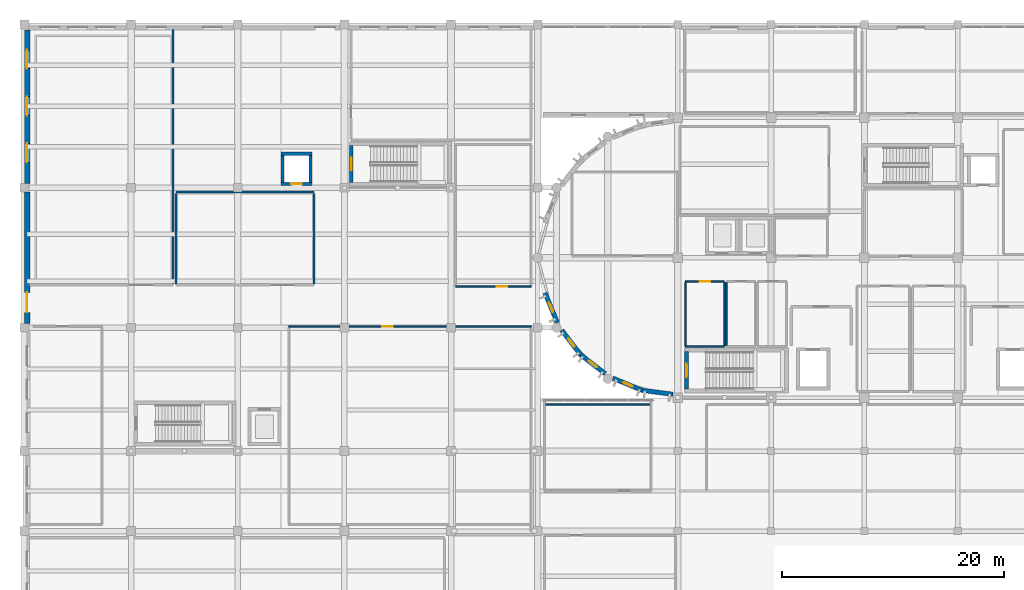
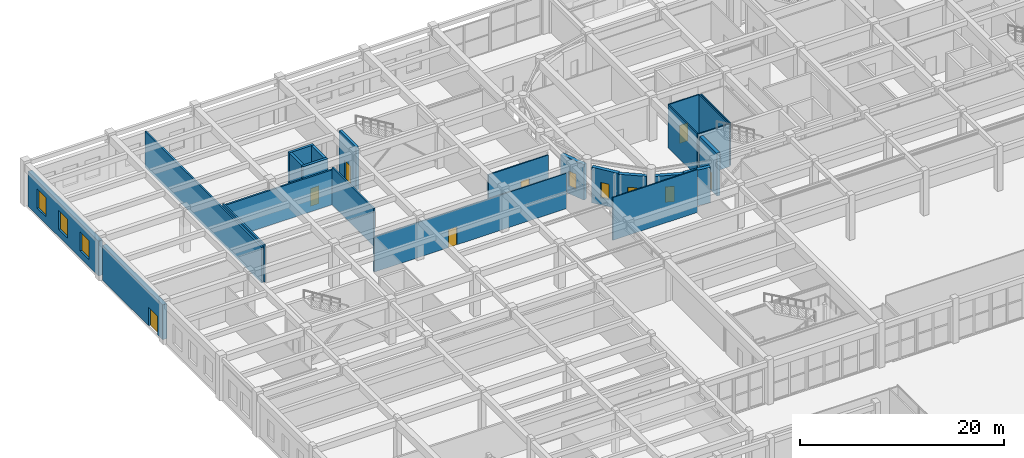
# One storey, part 70 of 98: 25 walls, 7 doors, 7 windows, 14 openings.
"""IFC4 building model written with IfcOpenShell, lengths in metres."""

from ifc_helpers import new_model, si_unit, direction, frame, frame_2d, origin, place, context, subcontext, project, spatial, rectangle, extrude, material, layer, layer_set, type_object, element, fill, save


model = new_model("IFC4")

# Units and contexts
model_context = context("Model", 3, precision=1e-05, world=origin(), true_north=direction((0.0, 1.0)))
body_context = subcontext(model_context, "Body", "Model", "MODEL_VIEW")
ifc_project = project(units=[si_unit("LENGTHUNIT", "METRE"), si_unit("AREAUNIT", "SQUARE_METRE"), si_unit("VOLUMEUNIT", "CUBIC_METRE"), si_unit("PLANEANGLEUNIT", "RADIAN"), si_unit("MASSUNIT", "GRAM", prefix="KILO")], contexts=[model_context])

# Site, building, storey
site_placement = place(None, origin())
site = spatial("IfcSite", under=ifc_project, at=site_placement, CompositionType="ELEMENT")
building_placement = place(site_placement, origin())
building = spatial("IfcBuilding", under=site, at=building_placement, Name="Tarnavel Promenade Courthouse", CompositionType="ELEMENT")
storey_placement = place(building_placement, origin())
storey = spatial("IfcBuildingStorey", under=building, at=storey_placement, Name="L01", CompositionType="ELEMENT", Elevation=0.0)

# Wall
ifc_material_1 = material(Name="Concrete C40/50", Category="concrete")
ifc_layer_1 = layer(ifc_material_1, 0.280029296875)
ifc_layer_set_1 = layer_set([ifc_layer_1], Name="Concrete C40/50")
wall_type_1 = type_object("IfcWallType", Name="Concrete C40/50 WL-SHR-280 (280 mm)", PredefinedType="SHEAR", material=ifc_layer_set_1)
wall_1_placement = place(storey_placement, frame((23.10009765625, 101.159912109375, 0.0), z_axis=(0.0, 0.0, 1.0), x_axis=(1.0, 0.0, 0.0)))
element("IfcWall", 1, at=wall_1_placement, inside=storey, type_object=wall_type_1, Name="L01 L-JUD2 Lift Shaft North Wall", PredefinedType="SHEAR", context=body_context, shape_type="SweptSolid", body=[
    extrude(rectangle(XDim=2.7998046875, YDim=0.280029296875, at=frame_2d((1.39990234375, 0.0))), origin(), (0.0, 0.0, 1.0), 5.139892578125),
])

# Wall, opening, door
wall_2_placement = place(storey_placement, frame((25.89990234375, 98.43994140625, 0.0), z_axis=(0.0, 0.0, 1.0), x_axis=(-1.0, 0.0, 0.0)))
wall_2 = element("IfcWall", 2, at=wall_2_placement, inside=storey, type_object=wall_type_1, Name="L01 L-JUD2 Lift Shaft South Wall", PredefinedType="SHEAR", context=body_context, shape_type="SweptSolid", body=[
    extrude(rectangle(XDim=2.7998046875, YDim=0.280029296875, at=frame_2d((1.39990234375, 0.0))), origin(), (0.0, 0.0, 1.0), 5.139892578125),
])
opening_1_placement = place(wall_2_placement, frame((0.925048828125, 0.0, 0.0)))
opening_1 = element("IfcOpeningElement", 3, at=opening_1_placement, cuts=wall_2, Name="Opening LD-03", PredefinedType="OPENING", context=body_context, shape_type="SweptSolid", body=[
    extrude(rectangle(XDim=0.949951171875, YDim=2.14990234375, at=frame_2d((0.47509765625, 1.074951171875))), frame((0.0, 0.14990234375, 0.0), z_axis=(0.0, -1.0, 0.0), x_axis=(1.0, 0.0, 0.0)), (0.0, 0.0, 1.0), 0.300048828125),
])
ifc_material_2 = material(Name="Stainless Steel Judicial Lift Landing Sliding Door", Category="steel")
door_type_1 = type_object("IfcDoorType", Name="Stainless Steel Judicial Lift Landing Sliding Door (LD-JUD-0950x2150)", OperationType="NOTDEFINED", PredefinedType="DOOR", material=ifc_material_2)
door_1_placement = place(opening_1_placement, origin())
door_1 = element("IfcDoor", 4, at=door_1_placement, inside=storey, type_object=door_type_1, Name="L01 L-JUD2 Lift Sliding Landing Door", OperationType="DOUBLE_DOOR_SLIDING", OverallHeight=2.14990234375, OverallWidth=0.949951171875, PredefinedType="DOOR", context=body_context, shape_type="SweptSolid", body=[
    extrude(rectangle(XDim=0.949951171875, YDim=2.14990234375, at=frame_2d((0.47509765625, 1.074951171875))), frame((0.0, 0.02490234375, 0.0), z_axis=(0.0, -1.0, 0.0), x_axis=(1.0, 0.0, 0.0)), (0.0, 0.0, 1.0), 0.050048828125),
])
fill(opening_1, door_1)

# Walls
for number, where, z_axis, x_axis, name in (
    (5, (23.239990234375, 98.580078125, 0.0), (0.0, 0.0, 1.0), (0.0, 1.0, 0.0), "L01 L-JUD2 Lift Shaft West Wall"),
    (6, (25.760009765625, 101.02001953125, 0.0), (0.0, 0.0, 1.0), (0.0, -1.0, 0.0), "L01 L-JUD2 Lift Shaft East Wall"),
):
    element("IfcWall", number, at=place(storey_placement, frame(where, z_axis=z_axis, x_axis=x_axis)), inside=storey, type_object=wall_type_1, Name=name, PredefinedType="SHEAR", context=body_context, shape_type="SweptSolid", body=[
        extrude(rectangle(XDim=2.43994140625, YDim=0.280029296875, at=frame_2d((1.219970703125, 0.0))), origin(), (0.0, 0.0, 1.0), 5.139892578125),
    ])

# Wall, opening, door
ifc_layer_2 = layer(ifc_material_1, 0.320068359375)
ifc_layer_set_2 = layer_set([ifc_layer_2], Name="Concrete C40/50")
wall_type_2 = type_object("IfcWallType", Name="Concrete C40/50 WL-SHR-320 (320 mm)", PredefinedType="SHEAR", material=ifc_layer_set_2)
wall_3_placement = place(storey_placement, frame((29.419921875, 98.580078125, 0.0), z_axis=(0.0, 0.0, 1.0), x_axis=(0.0, 1.0, 0.0)))
wall_3 = element("IfcWall", 7, at=wall_3_placement, inside=storey, type_object=wall_type_2, Name="L01 ST-07 Shear Core West Landing Wall", PredefinedType="SHEAR", context=body_context, shape_type="SweptSolid", body=[
    extrude(rectangle(XDim=3.31982421875, YDim=0.320068359375, at=frame_2d((1.659912109375, 0.0))), origin(), (0.0, 0.0, 1.0), 5.139892578125),
])
opening_2_placement = place(wall_3_placement, frame((1.0849609375, 0.0, 0.0)))
opening_2 = element("IfcOpeningElement", 8, at=opening_2_placement, cuts=wall_3, Name="Opening FD-01", PredefinedType="OPENING", context=body_context, shape_type="SweptSolid", body=[
    extrude(rectangle(XDim=1.14990234375, YDim=2.199951171875, at=frame_2d((0.574951171875, 1.10009765625))), frame((0.0, 0.169921875, 0.0), z_axis=(0.0, -1.0, 0.0), x_axis=(1.0, 0.0, 0.0)), (0.0, 0.0, 1.0), 0.340087890625),
])
ifc_material_3 = material(Name="Steel Fire-Rated Stair Core Door", Category="steel")
door_type_2 = type_object("IfcDoorType", Name="Steel Fire-Rated Stair Core Door (DR-ST-1150x2200)", OperationType="NOTDEFINED", PredefinedType="DOOR", material=ifc_material_3)
door_2_placement = place(opening_2_placement, origin())
door_2 = element("IfcDoor", 9, at=door_2_placement, inside=storey, type_object=door_type_2, Name="L01 ST-07 Protected Exit Stair Door", OperationType="SINGLE_SWING_RIGHT", OverallHeight=2.199951171875, OverallWidth=1.14990234375, PredefinedType="DOOR", context=body_context, shape_type="SweptSolid", body=[
    extrude(rectangle(XDim=1.14990234375, YDim=2.199951171875, at=frame_2d((0.574951171875, 1.10009765625))), frame((0.0, 0.02490234375, 0.0), z_axis=(0.0, -1.0, 0.0), x_axis=(1.0, 0.0, 0.0)), (0.0, 0.0, 1.0), 0.050048828125),
])
fill(opening_2, door_2)

ifc_layer_3 = layer(ifc_material_1, 0.360107421875)
ifc_layer_set_3 = layer_set([ifc_layer_3], Name="Concrete C40/50")
wall_type_3 = type_object("IfcWallType", Name="Concrete C40/50 WL-SHR-360 (360 mm)", PredefinedType="SHEAR", material=ifc_layer_set_3)
wall_4_placement = place(storey_placement, frame((59.60009765625, 79.97998046875, 0.0), z_axis=(0.0, 0.0, 1.0), x_axis=(0.0, 1.0, 0.0)))
wall_4 = element("IfcWall", 10, at=wall_4_placement, inside=storey, type_object=wall_type_3, Name="L01 ST-01 Shear Core West Landing Wall", PredefinedType="SHEAR", context=body_context, shape_type="SweptSolid", body=[
    extrude(rectangle(XDim=3.360107421875, YDim=0.360107421875, at=frame_2d((1.68017578125, 0.0))), origin(), (0.0, 0.0, 1.0), 5.139892578125),
])
opening_3_placement = place(wall_4_placement, frame((1.080078125, 0.0, 0.0)))
opening_3 = element("IfcOpeningElement", 11, at=opening_3_placement, cuts=wall_4, Name="Opening FD-02", PredefinedType="OPENING", context=body_context, shape_type="SweptSolid", body=[
    extrude(rectangle(XDim=1.199951171875, YDim=2.199951171875, at=frame_2d((0.60009765625, 1.10009765625))), frame((0.0, 0.18994140625, 0.0), z_axis=(0.0, -1.0, 0.0), x_axis=(1.0, 0.0, 0.0)), (0.0, 0.0, 1.0), 0.380126953125),
])
ifc_material_4 = material(Name="Steel Fire-Rated Firefighting Stair Door", Category="steel")
door_type_3 = type_object("IfcDoorType", Name="Steel Fire-Rated Firefighting Stair Door (DR-ST-1200x2200)", OperationType="NOTDEFINED", PredefinedType="DOOR", material=ifc_material_4)
door_3_placement = place(opening_3_placement, origin())
door_3 = element("IfcDoor", 12, at=door_3_placement, inside=storey, type_object=door_type_3, Name="L01 ST-01 Protected Exit Stair Door", OperationType="SINGLE_SWING_LEFT", OverallHeight=2.199951171875, OverallWidth=1.199951171875, PredefinedType="DOOR", context=body_context, shape_type="SweptSolid", body=[
    extrude(rectangle(XDim=1.199951171875, YDim=2.199951171875, at=frame_2d((0.60009765625, 1.10009765625))), frame((0.0, 0.02490234375, 0.0), z_axis=(0.0, -1.0, 0.0), x_axis=(1.0, 0.0, 0.0)), (0.0, 0.0, 1.0), 0.050048828125),
])
fill(opening_3, door_3)

# Walls
ifc_material_5 = material(Name="Double-Stud Acoustic Courtroom Partition Assembly", Category="gypsum")
ifc_layer_4 = layer(ifc_material_5, 0.18505859375)
ifc_layer_set_4 = layer_set([ifc_layer_4], Name="Double-Stud Acoustic Courtroom Partition Assembly")
wall_type_4 = type_object("IfcWallType", Name="Double-Stud Acoustic Courtroom Partition Assembly WL-CRT-185 (185 mm)", PredefinedType="PARTITIONING", material=ifc_layer_set_4)
wall_5_placement = place(storey_placement, frame((13.360107421875, 112.325927734375, 0.0), z_axis=(0.0, 0.0, 1.0), x_axis=(0.0, -1.0, 0.0)))
element("IfcWall", 13, at=wall_5_placement, inside=storey, type_object=wall_type_4, Name="L01 District Civil Courtroom Partition 0114", PredefinedType="PARTITIONING", context=body_context, shape_type="SweptSolid", body=[
    extrude(rectangle(XDim=22.883544921875, YDim=0.18505859375, at=frame_2d((11.44189453125, 0.0))), origin(), (0.0, 0.0, 1.0), 4.330078125),
])
wall_6_placement = place(storey_placement, frame((13.639892578125, 97.699951171875, 0.0), z_axis=(0.0, 0.0, 1.0), x_axis=(1.0, 0.0, 0.0)))
element("IfcWall", 14, at=wall_6_placement, inside=storey, type_object=wall_type_4, Name="L01 Magistrates' Summary Courtroom Partition 0115", PredefinedType="PARTITIONING", context=body_context, shape_type="SweptSolid", body=[
    extrude(rectangle(XDim=12.420166015625, YDim=0.18505859375, at=frame_2d((6.2099609375, 0.0))), origin(), (0.0, 0.0, 1.0), 4.179931640625),
])
for number, where, z_axis, x_axis, name in (
    (15, (13.639892578125, 89.4423828125, 0.0), (0.0, 0.0, 1.0), (0.0, 1.0, 0.0), "L01 Magistrates' Summary Courtroom Partition 0117"),
    (16, (26.06005859375, 97.597412109375, 0.0), (0.0, 0.0, 1.0), (0.0, -1.0, 0.0), "L01 Magistrates' Summary Courtroom Partition 0118"),
):
    element("IfcWall", number, at=place(storey_placement, frame(where, z_axis=z_axis, x_axis=x_axis)), inside=storey, type_object=wall_type_4, Name=name, PredefinedType="PARTITIONING", context=body_context, shape_type="SweptSolid", body=[
        extrude(rectangle(XDim=8.155029296875, YDim=0.18505859375, at=frame_2d((4.07763671875, 0.0))), origin(), (0.0, 0.0, 1.0), 4.47998046875),
    ])

# Wall, opening, door
ifc_material_6 = material(Name="Limestone Ashlar Faced Insulated Brick Masonry", Category="masonry")
ifc_layer_5 = layer(ifc_material_6, 0.47998046875)
ifc_layer_set_5 = layer_set([ifc_layer_5], Name="Limestone Ashlar Faced Insulated Brick Masonry")
wall_type_5 = type_object("IfcWallType", Name="Limestone Ashlar Faced Insulated Brick Masonry WL-EXT-480 (480 mm)", PredefinedType="STANDARD", material=ifc_layer_set_5)
wall_7_placement = place(storey_placement, frame((0.239990234375, 85.89208984375, 0.0), z_axis=(0.0, 0.0, 1.0), x_axis=(0.0, 1.0, 0.0)))
wall_7 = element("IfcWall", 17, at=wall_7_placement, inside=storey, type_object=wall_type_5, Name="L01 Trial Wing West Ashlar Facade 0279", PredefinedType="STANDARD", context=body_context, shape_type="SweptSolid", body=[
    extrude(rectangle(XDim=11.81591796875, YDim=0.47998046875, at=frame_2d((5.907958984375, 0.0))), origin(), (0.0, 0.0, 1.0), 4.179931640625),
])
opening_4_placement = place(wall_7_placement, frame((0.988037109375, 0.0, 0.0)))
opening_4 = element("IfcOpeningElement", 18, at=opening_4_placement, cuts=wall_7, Name="Opening ED-03", PredefinedType="OPENING", context=body_context, shape_type="SweptSolid", body=[
    extrude(rectangle(XDim=1.800048828125, YDim=2.25, at=frame_2d((0.89990234375, 1.125))), frame((0.0, 0.25, 0.0), z_axis=(0.0, -1.0, 0.0), x_axis=(1.0, 0.0, 0.0)), (0.0, 0.0, 1.0), 0.5),
])
ifc_material_7 = material(Name="Insulated Steel Emergency Exit Double Door", Category="steel")
door_type_4 = type_object("IfcDoorType", Name="Insulated Steel Emergency Exit Double Door (ED-EXIT-1800x2250)", OperationType="NOTDEFINED", PredefinedType="DOOR", material=ifc_material_7)
door_4_placement = place(opening_4_placement, origin())
door_4 = element("IfcDoor", 19, at=door_4_placement, inside=storey, type_object=door_type_4, Name="Trial Wing West Corridor Exit Discharge Door", OperationType="DOUBLE_DOOR_SINGLE_SWING", OverallHeight=2.25, OverallWidth=1.800048828125, PredefinedType="DOOR", context=body_context, shape_type="SweptSolid", body=[
    extrude(rectangle(XDim=1.800048828125, YDim=2.25, at=frame_2d((0.89990234375, 1.125))), frame((0.0, 0.02490234375, 0.0), z_axis=(0.0, -1.0, 0.0), x_axis=(1.0, 0.0, 0.0)), (0.0, 0.0, 1.0), 0.050048828125),
])
fill(opening_4, door_4)

# Wall, openings, windows
wall_8_placement = place(storey_placement, frame((0.239990234375, 98.491943359375, 0.0), z_axis=(0.0, 0.0, 1.0), x_axis=(0.0, 1.0, 0.0)))
wall_8 = element("IfcWall", 20, at=wall_8_placement, inside=storey, type_object=wall_type_5, Name="L01 Trial Wing West Ashlar Facade 0280", PredefinedType="STANDARD", context=body_context, shape_type="SweptSolid", body=[
    extrude(rectangle(XDim=13.828125, YDim=0.47998046875, at=frame_2d((6.9140625, 0.0))), origin(), (0.0, 0.0, 1.0), 4.179931640625),
])
opening_5_placement = place(wall_8_placement, frame((1.894775390625, 0.0, 0.85009765625)))
opening_5 = element("IfcOpeningElement", 21, at=opening_5_placement, cuts=wall_8, Name="Opening W-01", PredefinedType="OPENING", context=body_context, shape_type="SweptSolid", body=[
    extrude(rectangle(XDim=1.699951171875, YDim=2.300048828125, at=frame_2d((0.85009765625, 1.14990234375))), frame((0.0, 0.25, 0.0), z_axis=(0.0, -1.0, 0.0), x_axis=(1.0, 0.0, 0.0)), (0.0, 0.0, 1.0), 0.5),
])
opening_6_placement = place(wall_8_placement, frame((6.10791015625, 0.0, 0.85009765625)))
opening_6 = element("IfcOpeningElement", 22, at=opening_6_placement, cuts=wall_8, Name="Opening W-01", PredefinedType="OPENING", context=body_context, shape_type="SweptSolid", body=[
    extrude(rectangle(XDim=1.699951171875, YDim=2.300048828125, at=frame_2d((0.85009765625, 1.14990234375))), frame((0.0, 0.25, 0.0), z_axis=(0.0, -1.0, 0.0), x_axis=(1.0, 0.0, 0.0)), (0.0, 0.0, 1.0), 0.5),
])
opening_7_placement = place(wall_8_placement, frame((10.3212890625, 0.0, 0.85009765625)))
opening_7 = element("IfcOpeningElement", 23, at=opening_7_placement, cuts=wall_8, Name="Opening W-01", PredefinedType="OPENING", context=body_context, shape_type="SweptSolid", body=[
    extrude(rectangle(XDim=1.699951171875, YDim=2.300048828125, at=frame_2d((0.85009765625, 1.14990234375))), frame((0.0, 0.25, 0.0), z_axis=(0.0, -1.0, 0.0), x_axis=(1.0, 0.0, 0.0)), (0.0, 0.0, 1.0), 0.5),
])
ifc_material_8 = material(Name="Triple Low-E Glazed Bronze-Clad Window Assembly")
window_type_1 = type_object("IfcWindowType", Name="Triple-Glazed Bronze-Clad Timber-Aluminium WIN-CRT-1700x2300", PartitioningType="SINGLE_PANEL", PredefinedType="WINDOW", material=ifc_material_8)
window_1_placement = place(opening_5_placement, origin())
window_1 = element("IfcWindow", 24, at=window_1_placement, inside=storey, type_object=window_type_1, Name="L01 Exterior Window 0248", OverallHeight=2.300048828125, OverallWidth=1.699951171875, PartitioningType="SINGLE_PANEL", PredefinedType="WINDOW", context=body_context, shape_type="SweptSolid", body=[
    extrude(rectangle(XDim=1.699951171875, YDim=2.300048828125, at=frame_2d((0.85009765625, 1.14990234375))), frame((0.0, 0.030029296875, 0.0), z_axis=(0.0, -1.0, 0.0), x_axis=(1.0, 0.0, 0.0)), (0.0, 0.0, 1.0), 0.06005859375),
])
fill(opening_5, window_1)
window_2_placement = place(opening_6_placement, origin())
window_2 = element("IfcWindow", 25, at=window_2_placement, inside=storey, type_object=window_type_1, Name="L01 Exterior Window 0249", OverallHeight=2.300048828125, OverallWidth=1.699951171875, PartitioningType="SINGLE_PANEL", PredefinedType="WINDOW", context=body_context, shape_type="SweptSolid", body=[
    extrude(rectangle(XDim=1.699951171875, YDim=2.300048828125, at=frame_2d((0.85009765625, 1.14990234375))), frame((0.0, 0.030029296875, 0.0), z_axis=(0.0, -1.0, 0.0), x_axis=(1.0, 0.0, 0.0)), (0.0, 0.0, 1.0), 0.06005859375),
])
fill(opening_6, window_2)
window_3_placement = place(opening_7_placement, origin())
window_3 = element("IfcWindow", 26, at=window_3_placement, inside=storey, type_object=window_type_1, Name="L01 Exterior Window 0250", OverallHeight=2.300048828125, OverallWidth=1.699951171875, PartitioningType="SINGLE_PANEL", PredefinedType="WINDOW", context=body_context, shape_type="SweptSolid", body=[
    extrude(rectangle(XDim=1.699951171875, YDim=2.300048828125, at=frame_2d((0.85009765625, 1.14990234375))), frame((0.0, 0.030029296875, 0.0), z_axis=(0.0, -1.0, 0.0), x_axis=(1.0, 0.0, 0.0)), (0.0, 0.0, 1.0), 0.06005859375),
])
fill(opening_7, window_3)

# Wall, opening, door
ifc_material_9 = material(Name="Metal-Stud Acoustic Gypsum Partition", Category="gypsum")
ifc_layer_6 = layer(ifc_material_9, 0.135009765625)
ifc_layer_set_6 = layer_set([ifc_layer_6], Name="Metal-Stud Acoustic Gypsum Partition")
wall_type_6 = type_object("IfcWallType", Name="Metal-Stud Acoustic Gypsum Partition WL-OFF-135 (135 mm)", PredefinedType="PARTITIONING", material=ifc_layer_set_6)
wall_9_placement = place(storey_placement, frame((59.5, 89.64990234375, 0.0), z_axis=(0.0, 0.0, 1.0), x_axis=(1.0, 0.0, 0.0)))
wall_9 = element("IfcWall", 27, at=wall_9_placement, inside=storey, type_object=wall_type_6, Name="L01 L01 Bailiffs' Duty Room Partition 0105", PredefinedType="PARTITIONING", context=body_context, shape_type="SweptSolid", body=[
    extrude(rectangle(XDim=3.5, YDim=0.135009765625, at=frame_2d((1.75, 0.0))), origin(), (0.0, 0.0, 1.0), 5.125),
])
opening_8_placement = place(wall_9_placement, frame((1.27490234375, 0.0, 0.0)))
opening_8 = element("IfcOpeningElement", 28, at=opening_8_placement, cuts=wall_9, Name="Opening ID-06", PredefinedType="OPENING", context=body_context, shape_type="SweptSolid", body=[
    extrude(rectangle(XDim=0.949951171875, YDim=2.14990234375, at=frame_2d((0.47509765625, 1.074951171875))), frame((0.0, 0.077392578125, 0.0), z_axis=(0.0, -1.0, 0.0), x_axis=(1.0, 0.0, 0.0)), (0.0, 0.0, 1.0), 0.155029296875),
])
ifc_material_10 = material(Name="Acoustic Timber Veneer Office Door", Category="wood")
door_type_5 = type_object("IfcDoorType", Name="Acoustic Timber Veneer Office Door (DR-OFF-0950x2150)", OperationType="NOTDEFINED", PredefinedType="DOOR", material=ifc_material_10)
door_5_placement = place(opening_8_placement, origin())
door_5 = element("IfcDoor", 29, at=door_5_placement, inside=storey, type_object=door_type_5, Name="L01 L01 Bailiffs' Duty Room Door 0030", OperationType="SINGLE_SWING_RIGHT", OverallHeight=2.14990234375, OverallWidth=0.949951171875, PredefinedType="DOOR", context=body_context, shape_type="SweptSolid", body=[
    extrude(rectangle(XDim=0.949951171875, YDim=2.14990234375, at=frame_2d((0.47509765625, 1.074951171875))), frame((0.0, 0.02490234375, 0.0), z_axis=(0.0, -1.0, 0.0), x_axis=(1.0, 0.0, 0.0)), (0.0, 0.0, 1.0), 0.050048828125),
])
fill(opening_8, door_5)

# Walls
wall_10_placement = place(storey_placement, frame((63.0, 83.800048828125, 0.0), z_axis=(0.0, 0.0, 1.0), x_axis=(-1.0, 0.0, 0.0)))
element("IfcWall", 30, at=wall_10_placement, inside=storey, type_object=wall_type_6, Name="L01 L01 Bailiffs' Duty Room Partition 0106", PredefinedType="PARTITIONING", context=body_context, shape_type="SweptSolid", body=[
    extrude(rectangle(XDim=3.5, YDim=0.135009765625, at=frame_2d((1.75, 0.0))), origin(), (0.0, 0.0, 1.0), 5.125),
])
for number, where, z_axis, x_axis, name in (
    (31, (59.5, 83.87744140625, 0.0), (0.0, 0.0, 1.0), (0.0, 1.0, 0.0), "L01 L01 Bailiffs' Duty Room Partition 0107"),
    (32, (63.0, 89.572509765625, 0.0), (0.0, 0.0, 1.0), (0.0, -1.0, 0.0), "L01 L01 Bailiffs' Duty Room Partition 0108"),
):
    element("IfcWall", number, at=place(storey_placement, frame(where, z_axis=z_axis, x_axis=x_axis)), inside=storey, type_object=wall_type_6, Name=name, PredefinedType="PARTITIONING", context=body_context, shape_type="SweptSolid", body=[
        extrude(rectangle(XDim=5.695068359375, YDim=0.135009765625, at=frame_2d((2.84765625, 0.0))), origin(), (0.0, 0.0, 1.0), 5.125),
    ])

# Wall, opening, door
wall_11_placement = place(storey_placement, frame((45.60009765625, 89.199951171875, 0.0), z_axis=(0.0, 0.0, 1.0), x_axis=(-1.0, 0.0, 0.0)))
wall_11 = element("IfcWall", 33, at=wall_11_placement, inside=storey, type_object=wall_type_6, Name="L01 L01 Witness Waiting Room Partition 0123", PredefinedType="PARTITIONING", context=body_context, shape_type="SweptSolid", body=[
    extrude(rectangle(XDim=6.800048828125, YDim=0.135009765625, at=frame_2d((3.39990234375, 0.0))), origin(), (0.0, 0.0, 1.0), 4.22998046875),
])
opening_9_placement = place(wall_11_placement, frame((2.152587890625, 0.0, 0.0)))
opening_9 = element("IfcOpeningElement", 34, at=opening_9_placement, cuts=wall_11, Name="Opening ID-06", PredefinedType="OPENING", context=body_context, shape_type="SweptSolid", body=[
    extrude(rectangle(XDim=0.949951171875, YDim=2.14990234375, at=frame_2d((0.47509765625, 1.074951171875))), frame((0.0, 0.077392578125, 0.0), z_axis=(0.0, -1.0, 0.0), x_axis=(1.0, 0.0, 0.0)), (0.0, 0.0, 1.0), 0.155029296875),
])
door_6_placement = place(opening_9_placement, origin())
door_6 = element("IfcDoor", 35, at=door_6_placement, inside=storey, type_object=door_type_5, Name="L01 L01 Witness Waiting Room Door 0035", OperationType="SINGLE_SWING_LEFT", OverallHeight=2.14990234375, OverallWidth=0.949951171875, PredefinedType="DOOR", context=body_context, shape_type="SweptSolid", body=[
    extrude(rectangle(XDim=0.949951171875, YDim=2.14990234375, at=frame_2d((0.47509765625, 1.074951171875))), frame((0.0, 0.02490234375, 0.0), z_axis=(0.0, -1.0, 0.0), x_axis=(1.0, 0.0, 0.0)), (0.0, 0.0, 1.0), 0.050048828125),
])
fill(opening_9, door_6)

wall_12_placement = place(storey_placement, frame((23.800048828125, 85.60009765625, 0.0), z_axis=(0.0, 0.0, 1.0), x_axis=(1.0, 0.0, 0.0)))
wall_12 = element("IfcWall", 36, at=wall_12_placement, inside=storey, type_object=wall_type_6, Name="L01 Legal Aid Clinic and Case Office Partition 0129", PredefinedType="PARTITIONING", context=body_context, shape_type="SweptSolid", body=[
    extrude(rectangle(XDim=21.800048828125, YDim=0.135009765625, at=frame_2d((10.89990234375, 0.0))), origin(), (0.0, 0.0, 1.0), 4.22998046875),
])
opening_10_placement = place(wall_12_placement, frame((8.409912109375, 0.0, 0.0)))
opening_10 = element("IfcOpeningElement", 37, at=opening_10_placement, cuts=wall_12, Name="Opening ID-06", PredefinedType="OPENING", context=body_context, shape_type="SweptSolid", body=[
    extrude(rectangle(XDim=0.949951171875, YDim=2.14990234375, at=frame_2d((0.47509765625, 1.074951171875))), frame((0.0, 0.077392578125, 0.0), z_axis=(0.0, -1.0, 0.0), x_axis=(1.0, 0.0, 0.0)), (0.0, 0.0, 1.0), 0.155029296875),
])
door_7_placement = place(opening_10_placement, origin())
door_7 = element("IfcDoor", 38, at=door_7_placement, inside=storey, type_object=door_type_5, Name="L01 Legal Aid Clinic and Case Office Door 0037", OperationType="SINGLE_SWING_LEFT", OverallHeight=2.14990234375, OverallWidth=0.949951171875, PredefinedType="DOOR", context=body_context, shape_type="SweptSolid", body=[
    extrude(rectangle(XDim=0.949951171875, YDim=2.14990234375, at=frame_2d((0.47509765625, 1.074951171875))), frame((0.0, 0.02490234375, 0.0), z_axis=(0.0, -1.0, 0.0), x_axis=(1.0, 0.0, 0.0)), (0.0, 0.0, 1.0), 0.050048828125),
])
fill(opening_10, door_7)

# Walls
wall_13_placement = place(storey_placement, frame((46.800048828125, 78.60009765625, 0.0), z_axis=(0.0, 0.0, 1.0), x_axis=(1.0, 0.0, 0.0)))
element("IfcWall", 39, at=wall_13_placement, inside=storey, type_object=wall_type_6, Name="L01 Public Waiting and Cashier Suite Partition 0176", PredefinedType="PARTITIONING", context=body_context, shape_type="SweptSolid", body=[
    extrude(rectangle(XDim=9.599853515625, YDim=0.135009765625, at=frame_2d((4.7998046875, 0.0))), origin(), (0.0, 0.0, 1.0), 5.125),
])
ifc_material_11 = material(Name="Moisture-Resistant Tile-Backed Stud Partition", Category="gypsum")
ifc_layer_7 = layer(ifc_material_11, 0.125)
ifc_layer_set_7 = layer_set([ifc_layer_7], Name="Moisture-Resistant Tile-Backed Stud Partition")
wall_type_7 = type_object("IfcWallType", Name="Moisture-Resistant Tile-Backed Stud Partition WL-WET-125 (125 mm)", PredefinedType="PARTITIONING", material=ifc_layer_set_7)
wall_14_placement = place(storey_placement, frame((63.199951171875, 83.87255859375, 0.0), z_axis=(0.0, 0.0, 1.0), x_axis=(0.0, 1.0, 0.0)))
element("IfcWall", 40, at=wall_14_placement, inside=storey, type_object=wall_type_7, Name="L01 Public WC Partition 0091", PredefinedType="PARTITIONING", context=body_context, shape_type="SweptSolid", body=[
    extrude(rectangle(XDim=5.704833984375, YDim=0.125, at=frame_2d((2.8525390625, 0.0))), origin(), (0.0, 0.0, 1.0), 5.125),
])

# Wall, opening, window
ifc_material_12 = material(Name="Patinated Copper-Bronze Insulated Drum Wall Assembly", Category="masonry")
ifc_layer_8 = layer(ifc_material_12, 0.39501953125)
ifc_layer_set_8 = layer_set([ifc_layer_8], Name="Patinated Copper-Bronze Insulated Drum Wall Assembly")
wall_type_8 = type_object("IfcWallType", Name="Patinated Copper-Bronze Insulated Drum Wall Assembly WL-DRUM-395 (395 mm)", PredefinedType="ELEMENTEDWALL", material=ifc_layer_set_8)
wall_15_placement = place(storey_placement, frame((46.8603515625, 88.634521484375, 0.0), z_axis=(0.0, 0.0, 1.0), x_axis=(0.382642547526, -0.923896466506, 0.0)))
wall_15 = element("IfcWall", 41, at=wall_15_placement, inside=storey, type_object=wall_type_8, Name="L01 W Copper Drum Chord Wall 08 0030", PredefinedType="ELEMENTEDWALL", context=body_context, shape_type="SweptSolid", body=[
    extrude(rectangle(XDim=2.892333984375, YDim=0.39501953125, at=frame_2d((1.4462890625, 0.0))), origin(), (0.0, 0.0, 1.0), 4.27001953125),
])
opening_11_placement = place(wall_15_placement, frame((0.962158203125, 0.0, 0.85009765625)))
opening_11 = element("IfcOpeningElement", 42, at=opening_11_placement, cuts=wall_15, Name="Opening W-08", PredefinedType="OPENING", context=body_context, shape_type="SweptSolid", body=[
    extrude(rectangle(XDim=0.89990234375, YDim=1.85009765625, at=frame_2d((0.449951171875, 0.925048828125))), frame((0.0, 0.20751953125, 0.0), z_axis=(0.0, -1.0, 0.0), x_axis=(1.0, 0.0, 0.0)), (0.0, 0.0, 1.0), 0.4150390625),
])
window_type_2 = type_object("IfcWindowType", Name="Triple-Glazed Bronze-Clad Timber-Aluminium WIN-DRM-0900x1850", PartitioningType="SINGLE_PANEL", PredefinedType="WINDOW", material=ifc_material_8)
window_4_placement = place(opening_11_placement, origin())
window_4 = element("IfcWindow", 43, at=window_4_placement, inside=storey, type_object=window_type_2, Name="L01 Exterior Window 0009", OverallHeight=1.85009765625, OverallWidth=0.89990234375, PartitioningType="SINGLE_PANEL", PredefinedType="WINDOW", context=body_context, shape_type="SweptSolid", body=[
    extrude(rectangle(XDim=0.89990234375, YDim=1.85009765625, at=frame_2d((0.449951171875, 0.925048828125))), frame((0.0, 0.030029296875, 0.0), z_axis=(0.0, -1.0, 0.0), x_axis=(1.0, 0.0, 0.0)), (0.0, 0.0, 1.0), 0.06005859375),
])
fill(opening_11, window_4)

wall_16_placement = place(storey_placement, frame((48.369384765625, 85.283203125, 0.0), z_axis=(0.0, 0.0, 1.0), x_axis=(0.608787157184, -0.793333597705, 0.0)))
wall_16 = element("IfcWall", 44, at=wall_16_placement, inside=storey, type_object=wall_type_8, Name="L01 W Copper Drum Chord Wall 09 0031", PredefinedType="ELEMENTEDWALL", context=body_context, shape_type="SweptSolid", body=[
    extrude(rectangle(XDim=2.824462890625, YDim=0.39501953125, at=frame_2d((1.412109375, 0.0))), origin(), (0.0, 0.0, 1.0), 4.27001953125),
])
opening_12_placement = place(wall_16_placement, frame((0.962158203125, 0.0, 0.85009765625)))
opening_12 = element("IfcOpeningElement", 45, at=opening_12_placement, cuts=wall_16, Name="Opening W-08", PredefinedType="OPENING", context=body_context, shape_type="SweptSolid", body=[
    extrude(rectangle(XDim=0.89990234375, YDim=1.85009765625, at=frame_2d((0.449951171875, 0.925048828125))), frame((0.0, 0.20751953125, 0.0), z_axis=(0.0, -1.0, 0.0), x_axis=(1.0, 0.0, 0.0)), (0.0, 0.0, 1.0), 0.4150390625),
])
window_5_placement = place(opening_12_placement, origin())
window_5 = element("IfcWindow", 46, at=window_5_placement, inside=storey, type_object=window_type_2, Name="L01 Exterior Window 0010", OverallHeight=1.85009765625, OverallWidth=0.89990234375, PartitioningType="SINGLE_PANEL", PredefinedType="WINDOW", context=body_context, shape_type="SweptSolid", body=[
    extrude(rectangle(XDim=0.89990234375, YDim=1.85009765625, at=frame_2d((0.449951171875, 0.925048828125))), frame((0.0, 0.030029296875, 0.0), z_axis=(0.0, -1.0, 0.0), x_axis=(1.0, 0.0, 0.0)), (0.0, 0.0, 1.0), 0.06005859375),
])
fill(opening_12, window_5)

wall_17_placement = place(storey_placement, frame((50.042724609375, 83.0888671875, 0.0), z_axis=(0.0, 0.0, 1.0), x_axis=(0.793301558375, -0.608828906574, 0.0)))
wall_17 = element("IfcWall", 47, at=wall_17_placement, inside=storey, type_object=wall_type_8, Name="L01 W Copper Drum Chord Wall 10 0032", PredefinedType="ELEMENTEDWALL", context=body_context, shape_type="SweptSolid", body=[
    extrude(rectangle(XDim=2.82421875, YDim=0.39501953125, at=frame_2d((1.412109375, 0.0))), origin(), (0.0, 0.0, 1.0), 4.169921875),
])
opening_13_placement = place(wall_17_placement, frame((0.962158203125, 0.0, 0.85009765625)))
opening_13 = element("IfcOpeningElement", 48, at=opening_13_placement, cuts=wall_17, Name="Opening W-08", PredefinedType="OPENING", context=body_context, shape_type="SweptSolid", body=[
    extrude(rectangle(XDim=0.89990234375, YDim=1.85009765625, at=frame_2d((0.449951171875, 0.925048828125))), frame((0.0, 0.20751953125, 0.0), z_axis=(0.0, -1.0, 0.0), x_axis=(1.0, 0.0, 0.0)), (0.0, 0.0, 1.0), 0.4150390625),
])
window_6_placement = place(opening_13_placement, origin())
window_6 = element("IfcWindow", 49, at=window_6_placement, inside=storey, type_object=window_type_2, Name="L01 Exterior Window 0011", OverallHeight=1.85009765625, OverallWidth=0.89990234375, PartitioningType="SINGLE_PANEL", PredefinedType="WINDOW", context=body_context, shape_type="SweptSolid", body=[
    extrude(rectangle(XDim=0.89990234375, YDim=1.85009765625, at=frame_2d((0.449951171875, 0.925048828125))), frame((0.0, 0.030029296875, 0.0), z_axis=(0.0, -1.0, 0.0), x_axis=(1.0, 0.0, 0.0)), (0.0, 0.0, 1.0), 0.06005859375),
])
fill(opening_13, window_6)

wall_18_placement = place(storey_placement, frame((52.96240234375, 80.967041015625, 0.0), z_axis=(0.0, 0.0, 1.0), x_axis=(0.923896466506, -0.382642547526, 0.0)))
wall_18 = element("IfcWall", 50, at=wall_18_placement, inside=storey, type_object=wall_type_8, Name="L01 W Copper Drum Chord Wall 11 0033", PredefinedType="ELEMENTEDWALL", context=body_context, shape_type="SweptSolid", body=[
    extrude(rectangle(XDim=2.892333984375, YDim=0.39501953125, at=frame_2d((1.4462890625, 0.0))), origin(), (0.0, 0.0, 1.0), 4.169921875),
])
opening_14_placement = place(wall_18_placement, frame((1.030029296875, 0.0, 0.85009765625)))
opening_14 = element("IfcOpeningElement", 51, at=opening_14_placement, cuts=wall_18, Name="Opening W-08", PredefinedType="OPENING", context=body_context, shape_type="SweptSolid", body=[
    extrude(rectangle(XDim=0.89990234375, YDim=1.85009765625, at=frame_2d((0.449951171875, 0.925048828125))), frame((0.0, 0.20751953125, 0.0), z_axis=(0.0, -1.0, 0.0), x_axis=(1.0, 0.0, 0.0)), (0.0, 0.0, 1.0), 0.4150390625),
])
window_7_placement = place(opening_14_placement, origin())
window_7 = element("IfcWindow", 52, at=window_7_placement, inside=storey, type_object=window_type_2, Name="L01 Exterior Window 0012", OverallHeight=1.85009765625, OverallWidth=0.89990234375, PartitioningType="SINGLE_PANEL", PredefinedType="WINDOW", context=body_context, shape_type="SweptSolid", body=[
    extrude(rectangle(XDim=0.89990234375, YDim=1.85009765625, at=frame_2d((0.449951171875, 0.925048828125))), frame((0.0, 0.030029296875, 0.0), z_axis=(0.0, -1.0, 0.0), x_axis=(1.0, 0.0, 0.0)), (0.0, 0.0, 1.0), 0.06005859375),
])
fill(opening_14, window_7)

# Wall
wall_19_placement = place(storey_placement, frame((55.571533203125, 79.877197265625, 0.0), z_axis=(0.0, 0.0, 1.0), x_axis=(0.991443994311, -0.130532778046, 0.0)))
element("IfcWall", 53, at=wall_19_placement, inside=storey, type_object=wall_type_8, Name="L01 W Copper Drum Chord Wall 12 0034", PredefinedType="ELEMENTEDWALL", context=body_context, shape_type="SweptSolid", body=[
    extrude(rectangle(XDim=2.82421875, YDim=0.39501953125, at=frame_2d((1.412109375, 0.0))), origin(), (0.0, 0.0, 1.0), 4.27001953125),
])

save(model, "model.ifc")
